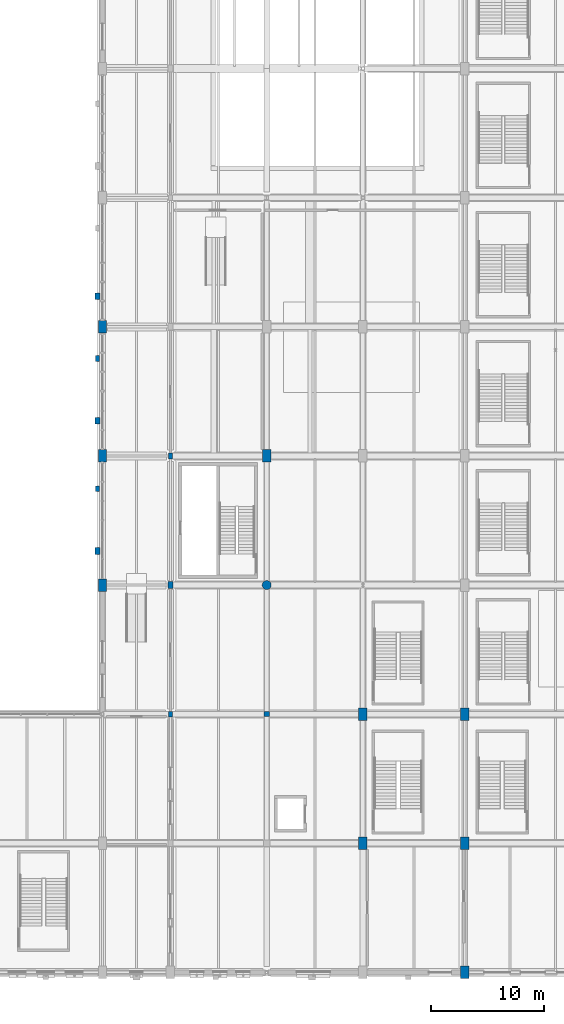
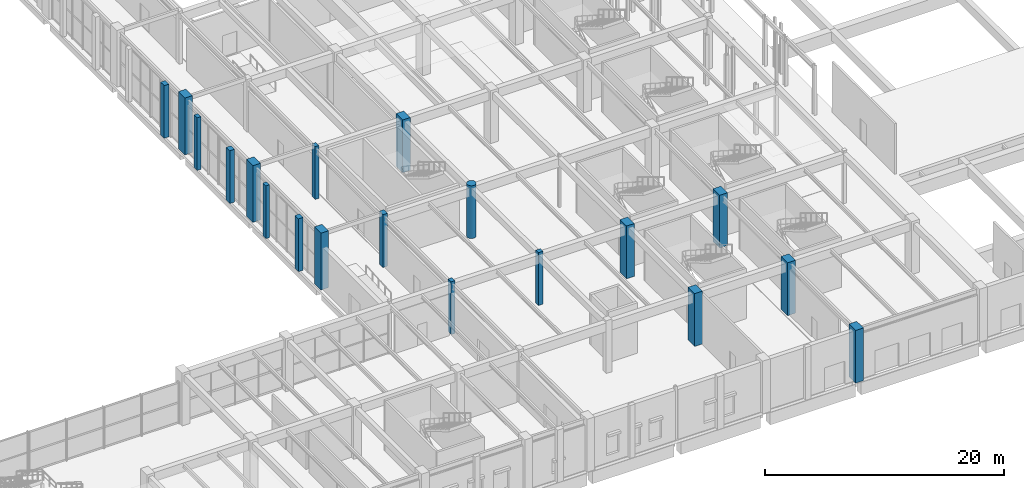
# One storey, part 9 of 113: 19 columns.
"""IFC4 building model written with IfcOpenShell, lengths in metres."""

from ifc_helpers import new_model, si_unit, direction, frame, origin, origin_2d, place, context, subcontext, project, spatial, rectangle, circle, extrude, material, material_profile, profile_set, type_object, element, save


model = new_model("IFC4")

# Units and contexts
model_context = context("Model", 3, precision=1e-05, world=origin(), true_north=direction((0.0, 1.0)))
body_context = subcontext(model_context, "Body", "Model", "MODEL_VIEW")
ifc_project = project(units=[si_unit("LENGTHUNIT", "METRE"), si_unit("AREAUNIT", "SQUARE_METRE"), si_unit("VOLUMEUNIT", "CUBIC_METRE"), si_unit("PLANEANGLEUNIT", "RADIAN"), si_unit("MASSUNIT", "GRAM", prefix="KILO"), si_unit("POWERUNIT", "WATT"), si_unit("THERMODYNAMICTEMPERATUREUNIT", "KELVIN")], contexts=[model_context])

# Site, building, storey
site_placement = place(None, origin())
site = spatial("IfcSite", under=ifc_project, at=site_placement, CompositionType="ELEMENT")
building_placement = place(site_placement, origin())
building = spatial("IfcBuilding", under=site, at=building_placement, Name="Kelmbourne Parkland Aquatics Centre", CompositionType="ELEMENT")
storey_placement = place(building_placement, origin())
storey = spatial("IfcBuildingStorey", under=building, at=storey_placement, Name="L00", CompositionType="ELEMENT", Elevation=0.0)

# Columns
ifc_material_1 = material(Name="Concrete C40/50", Category="concrete")
ifc_material_profile_1 = material_profile(ifc_material_1, rectangle(XDim=0.75, YDim=1.10009765625, at=origin_2d()), Name="RC 750x1100")
ifc_profile_set_1 = profile_set([ifc_material_profile_1], Name="Concrete C40/50")
column_type_1 = type_object("IfcColumnType", Name="COL-C03", PredefinedType="COLUMN", material=ifc_profile_set_1)
for number, where, z_axis, x_axis, name in (
    (1, (96.0, 35.0, 0.0), (0.0, 0.0, 1.0), (1.0, 0.0, 0.0), "Structural column L-05 (L00)"),
    (2, (96.0, 46.39990234375, 0.0), (0.0, 0.0, 1.0), (1.0, 0.0, 0.0), "Structural column L-06 (L00)"),
    (3, (96.0, 57.800048828125, 0.0), (0.0, 0.0, 1.0), (1.0, 0.0, 0.0), "Structural column L-08 (L00)"),
):
    element("IfcColumn", number, at=place(storey_placement, frame(where, z_axis=z_axis, x_axis=x_axis)), inside=storey, type_object=column_type_1, Name=name, PredefinedType="COLUMN", context=body_context, shape_type="SweptSolid", body=[
        extrude(rectangle(XDim=0.75, YDim=1.10009765625, at=origin_2d()), origin(), (0.0, 0.0, 1.0), 5.800048828125),
    ])
for number, where, z_axis, x_axis, name in (
    (4, (110.5, 46.39990234375, 0.0), (0.0, 0.0, 1.0), (1.0, 0.0, 0.0), "Structural column N-06 (L00)"),
    (5, (119.0, 12.199951171875, 0.0), (0.0, 0.0, 1.0), (1.0, 0.0, 0.0), "Structural column O-03 (L00)"),
    (6, (119.0, 23.60009765625, 0.0), (0.0, 0.0, 1.0), (1.0, 0.0, 0.0), "Structural column O-04 (L00)"),
    (7, (128.0, 0.800048828125, 0.0), (0.0, 0.0, 1.0), (1.0, 0.0, 0.0), "Structural column P-01 (L00)"),
    (8, (128.0, 12.199951171875, 0.0), (0.0, 0.0, 1.0), (1.0, 0.0, 0.0), "Structural column P-03 (L00)"),
    (9, (128.0, 23.60009765625, 0.0), (0.0, 0.0, 1.0), (1.0, 0.0, 0.0), "Structural column P-04 (L00)"),
):
    element("IfcColumn", number, at=place(storey_placement, frame(where, z_axis=z_axis, x_axis=x_axis)), inside=storey, type_object=column_type_1, Name=name, PredefinedType="COLUMN", context=body_context, shape_type="SweptSolid", body=[
        extrude(rectangle(XDim=0.75, YDim=1.10009765625, at=origin_2d()), origin(), (0.0, 0.0, 1.0), 5.39990234375),
    ])
ifc_material_profile_2 = material_profile(ifc_material_1, rectangle(XDim=0.449951171875, YDim=0.449951171875, at=origin_2d()), Name="RC 450x450")
ifc_profile_set_2 = profile_set([ifc_material_profile_2], Name="Concrete C40/50")
column_type_2 = type_object("IfcColumnType", Name="COL-C08", PredefinedType="COLUMN", material=ifc_profile_set_2)
column_1_placement = place(storey_placement, frame((110.5, 23.60009765625, 0.0), z_axis=(0.0, 0.0, 1.0), x_axis=(1.0, 0.0, 0.0)))
element("IfcColumn", 10, at=column_1_placement, inside=storey, type_object=column_type_2, Name="Structural column N-04 (L00)", PredefinedType="COLUMN", context=body_context, shape_type="SweptSolid", body=[
    extrude(rectangle(XDim=0.449951171875, YDim=0.449951171875, at=origin_2d()), origin(), (0.0, 0.0, 1.0), 5.39990234375),
])
ifc_material_profile_3 = material_profile(ifc_material_1, circle(Radius=0.39990234375, at=origin_2d()), Name="RC D800")
ifc_profile_set_3 = profile_set([ifc_material_profile_3], Name="Concrete C40/50")
column_type_3 = type_object("IfcColumnType", Name="COL-C09", PredefinedType="COLUMN", material=ifc_profile_set_3)
column_2_placement = place(storey_placement, frame((110.5, 35.0, 0.0), z_axis=(0.0, 0.0, 1.0), x_axis=(1.0, 0.0, 0.0)))
element("IfcColumn", 11, at=column_2_placement, inside=storey, type_object=column_type_3, Name="Structural column N-05 (L00)", PredefinedType="COLUMN", context=body_context, shape_type="SweptSolid", body=[
    extrude(circle(Radius=0.39990234375, at=origin_2d()), origin(), (0.0, 0.0, 1.0), 5.39990234375),
])
ifc_material_2 = material(Name="Clay brick masonry AS 3700 M12", Category="masonry")
ifc_material_profile_4 = material_profile(ifc_material_2, rectangle(XDim=0.35009765625, YDim=0.5, at=origin_2d()), Name="PIL 350x500")
ifc_profile_set_4 = profile_set([ifc_material_profile_4], Name="Clay brick masonry AS 3700 M12")
column_type_4 = type_object("IfcColumnType", Name="PIL-PL1", PredefinedType="PILASTER", material=ifc_profile_set_4)
for number, where, z_axis, x_axis, name in (
    (12, (102.0, 23.60009765625, 0.0), (0.0, 0.0, 1.0), (1.0, 0.0, 0.0), "Engaged brick pilaster M-04 (L00)"),
    (13, (102.0, 46.39990234375, 0.0), (0.0, 0.0, 1.0), (1.0, 0.0, 0.0), "Engaged brick pilaster M-06 (L00)"),
    (14, (95.550048828125, 43.5, 0.0), (0.0, 0.0, 1.0), (1.0, 0.0, 0.0), "Amsterdam School engaged brick buttress CE-043 (L00)"),
    (15, (95.550048828125, 55.0, 0.0), (0.0, 0.0, 1.0), (1.0, 0.0, 0.0), "Amsterdam School engaged brick buttress CE-045 (L00)"),
):
    element("IfcColumn", number, at=place(storey_placement, frame(where, z_axis=z_axis, x_axis=x_axis)), inside=storey, type_object=column_type_4, Name=name, PredefinedType="PILASTER", context=body_context, shape_type="SweptSolid", body=[
        extrude(rectangle(XDim=0.35009765625, YDim=0.5, at=origin_2d()), origin(), (0.0, 0.0, 1.0), 5.39990234375),
    ])
ifc_material_profile_5 = material_profile(ifc_material_2, rectangle(XDim=0.449951171875, YDim=0.60009765625, at=origin_2d()), Name="PIL 450x600")
ifc_profile_set_5 = profile_set([ifc_material_profile_5], Name="Clay brick masonry AS 3700 M12")
column_type_5 = type_object("IfcColumnType", Name="PIL-PL2", PredefinedType="PILASTER", material=ifc_profile_set_5)
for number, where, z_axis, x_axis, name in (
    (16, (102.0, 35.0, 0.0), (0.0, 0.0, 1.0), (1.0, 0.0, 0.0), "Engaged brick pilaster M-05 (L00)"),
    (17, (95.550048828125, 38.0, 0.0), (0.0, 0.0, 1.0), (1.0, 0.0, 0.0), "Amsterdam School engaged brick buttress CE-042 (L00)"),
    (18, (95.550048828125, 49.5, 0.0), (0.0, 0.0, 1.0), (1.0, 0.0, 0.0), "Amsterdam School engaged brick buttress CE-044 (L00)"),
    (19, (95.550048828125, 60.5, 0.0), (0.0, 0.0, 1.0), (1.0, 0.0, 0.0), "Amsterdam School engaged brick buttress CE-046 (L00)"),
):
    element("IfcColumn", number, at=place(storey_placement, frame(where, z_axis=z_axis, x_axis=x_axis)), inside=storey, type_object=column_type_5, Name=name, PredefinedType="PILASTER", context=body_context, shape_type="SweptSolid", body=[
        extrude(rectangle(XDim=0.449951171875, YDim=0.60009765625, at=origin_2d()), origin(), (0.0, 0.0, 1.0), 5.39990234375),
    ])

save(model, "model.ifc")
